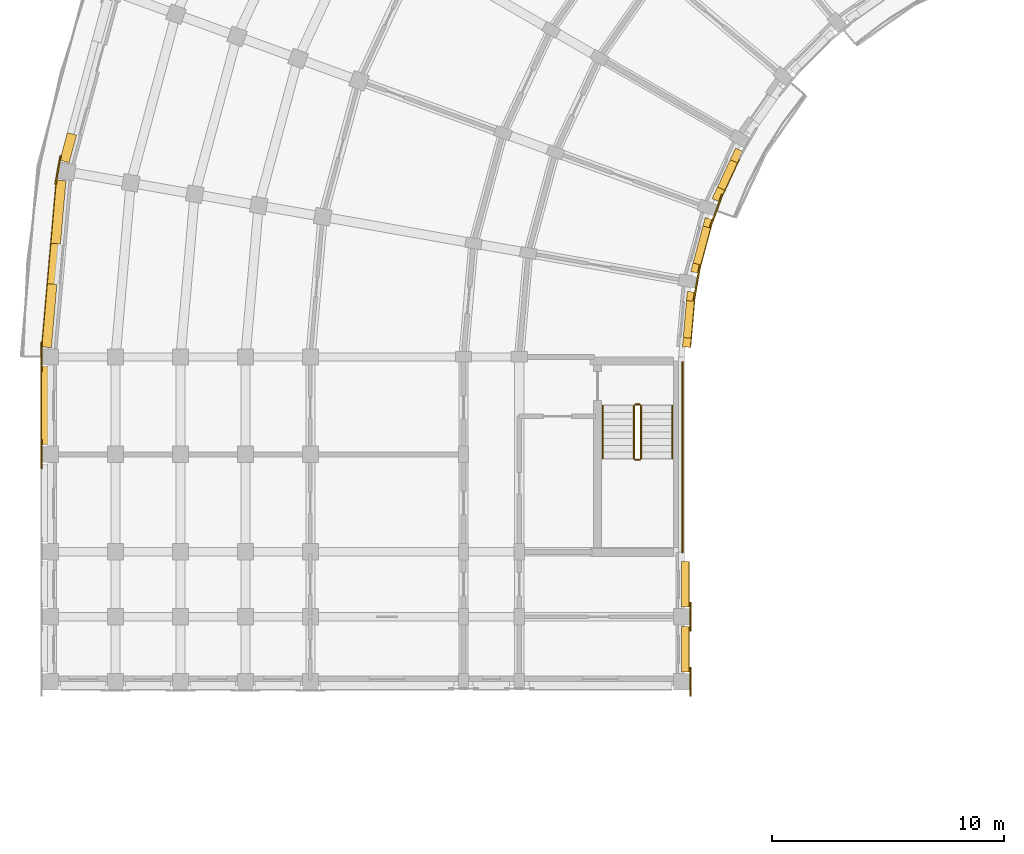
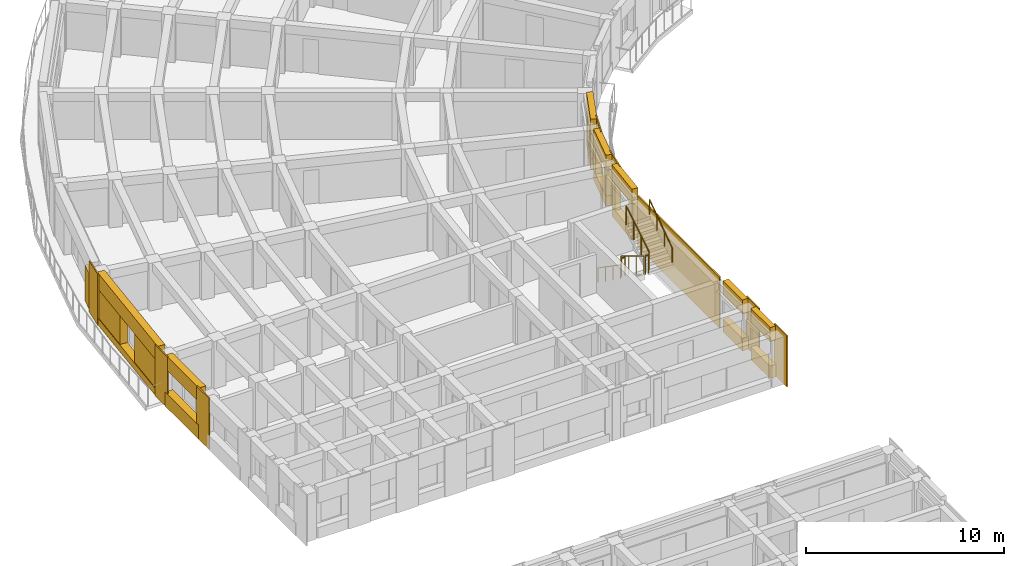
# One storey, part 46 of 57: 31 coverings, 6 railings.
"""IFC4 building model written with IfcOpenShell, lengths in metres."""

from ifc_helpers import new_model, si_unit, direction, frame, origin, origin_2d, place, context, subcontext, project, spatial, polyline, circle, outline, extrude, material, layer, layer_set, type_object, element, save


model = new_model("IFC4")

# Units and contexts
model_context = context("Model", 3, precision=1e-05, world=origin(), true_north=direction((0.0, 1.0)))
body_context = subcontext(model_context, "Body", "Model", "MODEL_VIEW")
ifc_project = project(units=[si_unit("LENGTHUNIT", "METRE"), si_unit("AREAUNIT", "SQUARE_METRE"), si_unit("VOLUMEUNIT", "CUBIC_METRE"), si_unit("PLANEANGLEUNIT", "RADIAN"), si_unit("MASSUNIT", "GRAM", prefix="KILO")], contexts=[model_context])

# Site, building, storey
site_placement = place(None, origin())
site = spatial("IfcSite", under=ifc_project, at=site_placement, CompositionType="ELEMENT")
building_placement = place(site_placement, origin())
building = spatial("IfcBuilding", under=site, at=building_placement, Name="Kiranvali Square Residences", CompositionType="ELEMENT")
storey_placement = place(building_placement, frame((0.0, 0.0, 18.14990234375)))
storey = spatial("IfcBuildingStorey", under=building, at=storey_placement, Name="L05", CompositionType="ELEMENT", Elevation=18.14990234375)

# Coverings
ifc_material_1 = material(Name="Honed Porbandar limestone ashlar facade cladding", Category="masonry")
ifc_layer_1 = layer(ifc_material_1, 0.3798828125)
ifc_layer_set_1 = layer_set([ifc_layer_1], Name="Honed Porbandar limestone ashlar facade cladding")
covering_type_1 = type_object("IfcCoveringType", Name="COV-CLAD-JAMB", PredefinedType="CLADDING", material=ifc_layer_set_1)
covering_1_placement = place(storey_placement, origin())
element("IfcCovering", 1, at=covering_1_placement, inside=storey, type_object=covering_type_1, Name="L05 deep limestone window jamb reveal A-L05-CRV-07.R", PredefinedType="CLADDING", context=body_context, shape_type="SweptSolid", body=[
    extrude(outline(polyline([(2.923828125, 97.46533203125), (2.6064453125, 96.2802734375), (3.001953125, 96.17431640625), (3.3193359375, 97.359375), (2.923828125, 97.46533203125)])), origin(), (0.0, 0.0, 1.0), 2.18017578125),
])
covering_2_placement = place(storey_placement, frame((0.0, 0.0, 0.422119140625)))
element("IfcCovering", 2, at=covering_2_placement, inside=storey, type_object=covering_type_1, Name="L05 deep limestone window jamb reveal A-L05-CRV-08.L", PredefinedType="CLADDING", context=body_context, shape_type="SweptSolid", body=[
    extrude(outline(polyline([(2.45556640625, 95.425048828125), (2.21728515625, 92.701416015625), (2.625244140625, 92.66552734375), (2.863525390625, 95.389404296875), (2.45556640625, 95.425048828125)])), origin(), (0.0, 0.0, 1.0), 1.75),
])
covering_3_placement = place(storey_placement, frame((0.0, 0.0, 0.422119140625)))
element("IfcCovering", 3, at=covering_3_placement, inside=storey, type_object=covering_type_1, Name="L05 deep limestone window jamb reveal A-L05-CRV-08.R", PredefinedType="CLADDING", context=body_context, shape_type="SweptSolid", body=[
    extrude(outline(polyline([(2.064697265625, 90.9580078125), (1.826416015625, 88.234130859375), (2.234375, 88.198486328125), (2.47265625, 90.92236328125), (2.064697265625, 90.9580078125)])), origin(), (0.0, 0.0, 1.0), 1.75),
])
covering_4_placement = place(storey_placement, frame((0.0, 0.0, 0.72216796875)))
element("IfcCovering", 4, at=covering_4_placement, inside=storey, type_object=covering_type_1, Name="L05 deep limestone window jamb reveal A-L05-GDN-06.L", PredefinedType="CLADDING", context=body_context, shape_type="SweptSolid", body=[
    extrude(outline(polyline([(31.733154296875, 96.801025390625), (31.50146484375, 96.303955078125), (31.80908203125, 96.160400390625), (32.041015625, 96.657470703125), (31.733154296875, 96.801025390625)])), origin(), (0.0, 0.0, 1.0), 1.5),
])
covering_5_placement = place(storey_placement, frame((0.0, 0.0, 0.72216796875)))
element("IfcCovering", 5, at=covering_5_placement, inside=storey, type_object=covering_type_1, Name="L05 deep limestone window jamb reveal A-L05-GDN-06.R", PredefinedType="CLADDING", context=body_context, shape_type="SweptSolid", body=[
    extrude(outline(polyline([(30.951904296875, 95.125732421875), (30.72021484375, 94.62841796875), (31.02783203125, 94.485107421875), (31.259765625, 94.982177734375), (30.951904296875, 95.125732421875)])), origin(), (0.0, 0.0, 1.0), 1.5),
])
covering_6_placement = place(storey_placement, frame((0.0, 0.0, 0.6220703125)))
element("IfcCovering", 6, at=covering_6_placement, inside=storey, type_object=covering_type_1, Name="L05 deep limestone window jamb reveal A-L05-GDN-07.L", PredefinedType="CLADDING", context=body_context, shape_type="SweptSolid", body=[
    extrude(outline(polyline([(30.42041015625, 93.804931640625), (30.32373046875, 93.444091796875), (30.651611328125, 93.356201171875), (30.748291015625, 93.717041015625), (30.42041015625, 93.804931640625)])), origin(), (0.0, 0.0, 1.0), 1.60009765625),
])
covering_7_placement = place(storey_placement, frame((0.0, 0.0, 0.6220703125)))
element("IfcCovering", 7, at=covering_7_placement, inside=storey, type_object=covering_type_1, Name="L05 deep limestone window jamb reveal A-L05-GDN-07.R", PredefinedType="CLADDING", context=body_context, shape_type="SweptSolid", body=[
    extrude(outline(polyline([(29.896728515625, 91.850341796875), (29.800048828125, 91.489501953125), (30.1279296875, 91.401611328125), (30.224609375, 91.762451171875), (29.896728515625, 91.850341796875)])), origin(), (0.0, 0.0, 1.0), 1.60009765625),
])
covering_8_placement = place(storey_placement, frame((0.0, 0.0, 0.572021484375)))
element("IfcCovering", 8, at=covering_8_placement, inside=storey, type_object=covering_type_1, Name="L05 deep limestone window jamb reveal A-L05-GDN-08.L", PredefinedType="CLADDING", context=body_context, shape_type="SweptSolid", body=[
    extrude(outline(polyline([(29.647705078125, 90.626220703125), (29.613037109375, 90.229248046875), (29.951171875, 90.19970703125), (29.986083984375, 90.5966796875), (29.647705078125, 90.626220703125)])), origin(), (0.0, 0.0, 1.0), 1.650146484375),
])
covering_9_placement = place(storey_placement, frame((0.0, 0.0, 0.572021484375)))
element("IfcCovering", 9, at=covering_9_placement, inside=storey, type_object=covering_type_1, Name="L05 deep limestone window jamb reveal A-L05-GDN-08.R", PredefinedType="CLADDING", context=body_context, shape_type="SweptSolid", body=[
    extrude(outline(polyline([(29.4736328125, 88.63525390625), (29.43896484375, 88.23828125), (29.777099609375, 88.208740234375), (29.811767578125, 88.605712890625), (29.4736328125, 88.63525390625)])), origin(), (0.0, 0.0, 1.0), 1.650146484375),
])
ifc_layer_2 = layer(ifc_material_1, 0.06494140625)
ifc_layer_set_2 = layer_set([ifc_layer_2], Name="Honed Porbandar limestone ashlar facade cladding")
covering_type_2 = type_object("IfcCoveringType", Name="COV-CLAD-PIER", PredefinedType="CLADDING", material=ifc_layer_set_2)
covering_10_placement = place(storey_placement, frame((0.0, 0.0, 0.005126953125)))
element("IfcCovering", 10, at=covering_10_placement, inside=storey, type_object=covering_type_2, Name="L05 Classical limestone corner pilaster CLAD-PR-A-L05-A08", PredefinedType="CLADDING", context=body_context, shape_type="SweptSolid", body=[
    extrude(outline(polyline([(2.5966796875, 96.480712890625), (2.377685546875, 95.239990234375), (2.4443359375, 95.228271484375), (2.6630859375, 96.468994140625), (2.5966796875, 96.480712890625)])), origin(), (0.0, 0.0, 1.0), 3.139892578125),
])
covering_11_placement = place(storey_placement, frame((0.0, 0.0, 0.005126953125)))
element("IfcCovering", 11, at=covering_11_placement, inside=storey, type_object=covering_type_2, Name="L05 Classical limestone corner pilaster CLAD-PR-A-L05-A09", PredefinedType="CLADDING", context=body_context, shape_type="SweptSolid", body=[
    extrude(outline(polyline([(1.781982421875, 88.429931640625), (1.781982421875, 87.169921875), (1.849609375, 87.169921875), (1.849609375, 88.429931640625), (1.781982421875, 88.429931640625)])), origin(), (0.0, 0.0, 1.0), 3.139892578125),
])
covering_12_placement = place(storey_placement, frame((0.0, 0.0, 0.005126953125)))
element("IfcCovering", 12, at=covering_12_placement, inside=storey, type_object=covering_type_2, Name="L05 Classical limestone pilaster casing CLAD-PR-A-L05-V42", PredefinedType="CLADDING", context=body_context, shape_type="SweptSolid", body=[
    extrude(outline(polyline([(1.781982421875, 84.22998046875), (1.781982421875, 82.969970703125), (1.849609375, 82.969970703125), (1.849609375, 84.22998046875), (1.781982421875, 84.22998046875)])), origin(), (0.0, 0.0, 1.0), 3.139892578125),
])
covering_13_placement = place(storey_placement, frame((0.0, 0.0, 0.005126953125)))
element("IfcCovering", 13, at=covering_13_placement, inside=storey, type_object=covering_type_2, Name="Block A L05 Arm 2 stair limestone ashlar cladding", PredefinedType="CLADDING", context=body_context, shape_type="SweptSolid", body=[
    extrude(outline(polyline([(29.402099609375, 87.60009765625), (29.402099609375, 79.35009765625), (29.47998046875, 79.35009765625), (29.47998046875, 87.60009765625), (29.402099609375, 87.60009765625)])), origin(), (0.0, 0.0, 1.0), 3.139892578125),
])
ifc_layer_3 = layer(ifc_material_1, 0.050048828125)
ifc_layer_set_3 = layer_set([ifc_layer_3], Name="Honed Porbandar limestone ashlar facade cladding")
covering_type_3 = type_object("IfcCoveringType", Name="COV-CLAD-PIER-IN", PredefinedType="CLADDING", material=ifc_layer_set_3)
covering_14_placement = place(storey_placement, frame((0.0, 0.0, 0.005126953125)))
element("IfcCovering", 14, at=covering_14_placement, inside=storey, type_object=covering_type_3, Name="L05 Classical garden courtyard pilaster CLAD-PRIN-A-L05-A07", PredefinedType="CLADDING", context=body_context, shape_type="SweptSolid", body=[
    extrude(outline(polyline([(30.670166015625, 93.38232421875), (31.18310546875, 94.791748046875), (31.11962890625, 94.81494140625), (30.606689453125, 93.4052734375), (30.670166015625, 93.38232421875)])), origin(), (0.0, 0.0, 1.0), 3.139892578125),
])
covering_15_placement = place(storey_placement, frame((0.0, 0.0, 0.005126953125)))
element("IfcCovering", 15, at=covering_15_placement, inside=storey, type_object=covering_type_3, Name="L05 Classical garden courtyard pilaster CLAD-PRIN-A-L05-A08", PredefinedType="CLADDING", context=body_context, shape_type="SweptSolid", body=[
    extrude(outline(polyline([(29.967041015625, 90.25341796875), (30.2275390625, 91.730712890625), (30.1611328125, 91.742431640625), (29.900634765625, 90.26513671875), (29.967041015625, 90.25341796875)])), origin(), (0.0, 0.0, 1.0), 3.139892578125),
])
covering_16_placement = place(storey_placement, frame((0.0, 0.0, 0.005126953125)))
element("IfcCovering", 16, at=covering_16_placement, inside=storey, type_object=covering_type_3, Name="L05 Classical limestone pilaster casing CLAD-PRA2I-A-L05-V112", PredefinedType="CLADDING", context=body_context, shape_type="SweptSolid", body=[
    extrude(outline(polyline([(29.75048828125, 77.22998046875), (29.75048828125, 75.969970703125), (29.818115234375, 75.969970703125), (29.818115234375, 77.22998046875), (29.75048828125, 77.22998046875)])), origin(), (0.0, 0.0, 1.0), 3.139892578125),
])
covering_17_placement = place(storey_placement, frame((0.0, 0.0, 0.005126953125)))
element("IfcCovering", 17, at=covering_17_placement, inside=storey, type_object=covering_type_3, Name="L05 Classical limestone pilaster casing CLAD-PRA2I-A-L05-V140", PredefinedType="CLADDING", context=body_context, shape_type="SweptSolid", body=[
    extrude(outline(polyline([(29.75048828125, 74.429931640625), (29.75048828125, 73.169921875), (29.818115234375, 73.169921875), (29.818115234375, 74.429931640625), (29.75048828125, 74.429931640625)])), origin(), (0.0, 0.0, 1.0), 3.139892578125),
])
ifc_layer_4 = layer(ifc_material_1, 0.360107421875)
ifc_layer_set_4 = layer_set([ifc_layer_4], Name="Honed Porbandar limestone ashlar facade cladding")
covering_type_4 = type_object("IfcCoveringType", Name="COV-CLAD-WALL", PredefinedType="CLADDING", material=ifc_layer_set_4)
covering_18_placement = place(storey_placement, frame((0.0, 0.0, 2.172119140625)))
element("IfcCovering", 18, at=covering_18_placement, inside=storey, type_object=covering_type_4, Name="L05 light limestone spandrel lintel A-L05-CRV-08", PredefinedType="CLADDING", context=body_context, shape_type="SweptSolid", body=[
    extrude(outline(polyline([(2.45556640625, 95.425048828125), (1.826416015625, 88.234130859375), (2.234375, 88.198486328125), (2.863525390625, 95.389404296875), (2.45556640625, 95.425048828125)])), origin(), (0.0, 0.0, 1.0), 0.972900390625),
])
covering_19_placement = place(storey_placement, frame((0.0, 0.0, 0.005126953125)))
element("IfcCovering", 19, at=covering_19_placement, inside=storey, type_object=covering_type_4, Name="L05 limestone window sill apron A-L05-CRV-08", PredefinedType="CLADDING", context=body_context, shape_type="SweptSolid", body=[
    extrude(outline(polyline([(2.42578125, 95.427734375), (1.796630859375, 88.23681640625), (2.234375, 88.198486328125), (2.863525390625, 95.389404296875), (2.42578125, 95.427734375)])), origin(), (0.0, 0.0, 1.0), 0.4169921875),
])
covering_20_placement = place(storey_placement, frame((0.0, 0.0, 2.22216796875)))
element("IfcCovering", 20, at=covering_20_placement, inside=storey, type_object=covering_type_4, Name="L05 light limestone spandrel lintel A-L05-GDN-06", PredefinedType="CLADDING", context=body_context, shape_type="SweptSolid", body=[
    extrude(outline(polyline([(31.733154296875, 96.801025390625), (30.72021484375, 94.62841796875), (31.02783203125, 94.485107421875), (32.041015625, 96.657470703125), (31.733154296875, 96.801025390625)])), origin(), (0.0, 0.0, 1.0), 0.9228515625),
])
covering_21_placement = place(storey_placement, frame((0.0, 0.0, 2.22216796875)))
element("IfcCovering", 21, at=covering_21_placement, inside=storey, type_object=covering_type_4, Name="L05 light limestone spandrel lintel A-L05-GDN-07", PredefinedType="CLADDING", context=body_context, shape_type="SweptSolid", body=[
    extrude(outline(polyline([(30.42041015625, 93.804931640625), (29.800048828125, 91.489501953125), (30.1279296875, 91.401611328125), (30.748291015625, 93.717041015625), (30.42041015625, 93.804931640625)])), origin(), (0.0, 0.0, 1.0), 0.9228515625),
])
covering_22_placement = place(storey_placement, frame((0.0, 0.0, 2.22216796875)))
element("IfcCovering", 22, at=covering_22_placement, inside=storey, type_object=covering_type_4, Name="L05 light limestone spandrel lintel A-L05-GDN-08", PredefinedType="CLADDING", context=body_context, shape_type="SweptSolid", body=[
    extrude(outline(polyline([(29.647705078125, 90.626220703125), (29.43896484375, 88.23828125), (29.777099609375, 88.208740234375), (29.986083984375, 90.5966796875), (29.647705078125, 90.626220703125)])), origin(), (0.0, 0.0, 1.0), 0.9228515625),
])
covering_23_placement = place(storey_placement, frame((0.0, 0.0, 2.280029296875)))
element("IfcCovering", 23, at=covering_23_placement, inside=storey, type_object=covering_type_4, Name="L05 light limestone spandrel lintel A-L05-A2O-0", PredefinedType="CLADDING", context=body_context, shape_type="SweptSolid", body=[
    extrude(outline(polyline([(1.800048828125, 87.3798828125), (1.800048828125, 84.02001953125), (2.199462890625, 84.02001953125), (2.199462890625, 87.3798828125), (1.800048828125, 87.3798828125)])), origin(), (0.0, 0.0, 1.0), 0.864990234375),
])
covering_24_placement = place(storey_placement, frame((0.0, 0.0, 0.005126953125)))
element("IfcCovering", 24, at=covering_24_placement, inside=storey, type_object=covering_type_4, Name="L05 limestone window sill apron A-L05-A2O-0", PredefinedType="CLADDING", context=body_context, shape_type="SweptSolid", body=[
    extrude(outline(polyline([(1.77001953125, 87.3798828125), (1.77001953125, 84.02001953125), (2.199462890625, 84.02001953125), (2.199462890625, 87.3798828125), (1.77001953125, 87.3798828125)])), origin(), (0.0, 0.0, 1.0), 0.875),
])
covering_25_placement = place(storey_placement, frame((0.0, 0.0, 2.272216796875)))
element("IfcCovering", 25, at=covering_25_placement, inside=storey, type_object=covering_type_4, Name="L05 light limestone spandrel lintel A-L05-A2I-0", PredefinedType="CLADDING", context=body_context, shape_type="SweptSolid", body=[
    extrude(outline(polyline([(29.400390625, 78.97998046875), (29.400390625, 77.02001953125), (29.719970703125, 77.02001953125), (29.719970703125, 78.97998046875), (29.400390625, 78.97998046875)])), origin(), (0.0, 0.0, 1.0), 0.872802734375),
])
covering_26_placement = place(storey_placement, frame((0.0, 0.0, 0.005126953125)))
element("IfcCovering", 26, at=covering_26_placement, inside=storey, type_object=covering_type_4, Name="L05 limestone window sill apron A-L05-A2I-0", PredefinedType="CLADDING", context=body_context, shape_type="SweptSolid", body=[
    extrude(outline(polyline([(29.400390625, 78.97998046875), (29.400390625, 77.02001953125), (29.75, 77.02001953125), (29.75, 78.97998046875), (29.400390625, 78.97998046875)])), origin(), (0.0, 0.0, 1.0), 0.76708984375),
])
covering_27_placement = place(storey_placement, frame((0.0, 0.0, 2.272216796875)))
element("IfcCovering", 27, at=covering_27_placement, inside=storey, type_object=covering_type_4, Name="L05 light limestone spandrel lintel A-L05-A2I-1", PredefinedType="CLADDING", context=body_context, shape_type="SweptSolid", body=[
    extrude(outline(polyline([(29.400390625, 76.179931640625), (29.400390625, 74.219970703125), (29.719970703125, 74.219970703125), (29.719970703125, 76.179931640625), (29.400390625, 76.179931640625)])), origin(), (0.0, 0.0, 1.0), 0.872802734375),
])
covering_28_placement = place(storey_placement, frame((0.0, 0.0, 0.005126953125)))
element("IfcCovering", 28, at=covering_28_placement, inside=storey, type_object=covering_type_4, Name="L05 limestone window sill apron A-L05-A2I-1", PredefinedType="CLADDING", context=body_context, shape_type="SweptSolid", body=[
    extrude(outline(polyline([(29.400390625, 76.179931640625), (29.400390625, 74.219970703125), (29.75, 74.219970703125), (29.75, 76.179931640625), (29.400390625, 76.179931640625)])), origin(), (0.0, 0.0, 1.0), 0.76708984375),
])
ifc_layer_5 = layer(ifc_material_1, 0.2900390625)
ifc_layer_set_5 = layer_set([ifc_layer_5], Name="Honed Porbandar limestone ashlar facade cladding")
covering_type_5 = type_object("IfcCoveringType", Name="COV-CLAD-WALL-IN", PredefinedType="CLADDING", material=ifc_layer_set_5)
covering_29_placement = place(storey_placement, frame((0.0, 0.0, 0.005126953125)))
element("IfcCovering", 29, at=covering_29_placement, inside=storey, type_object=covering_type_5, Name="L05 limestone window sill apron A-L05-GDN-06", PredefinedType="CLADDING", context=body_context, shape_type="SweptSolid", body=[
    extrude(outline(polyline([(31.733154296875, 96.801025390625), (30.72021484375, 94.62841796875), (31.05517578125, 94.472412109375), (32.068115234375, 96.644775390625), (31.733154296875, 96.801025390625)])), origin(), (0.0, 0.0, 1.0), 0.717041015625),
])
covering_30_placement = place(storey_placement, frame((0.0, 0.0, 0.005126953125)))
element("IfcCovering", 30, at=covering_30_placement, inside=storey, type_object=covering_type_5, Name="L05 limestone window sill apron A-L05-GDN-07", PredefinedType="CLADDING", context=body_context, shape_type="SweptSolid", body=[
    extrude(outline(polyline([(30.42041015625, 93.804931640625), (29.800048828125, 91.489501953125), (30.156982421875, 91.393798828125), (30.77734375, 93.709228515625), (30.42041015625, 93.804931640625)])), origin(), (0.0, 0.0, 1.0), 0.616943359375),
])
covering_31_placement = place(storey_placement, frame((0.0, 0.0, 0.005126953125)))
element("IfcCovering", 31, at=covering_31_placement, inside=storey, type_object=covering_type_5, Name="L05 limestone window sill apron A-L05-GDN-08", PredefinedType="CLADDING", context=body_context, shape_type="SweptSolid", body=[
    extrude(outline(polyline([(29.647705078125, 90.626220703125), (29.43896484375, 88.23828125), (29.806884765625, 88.2060546875), (30.015869140625, 90.593994140625), (29.647705078125, 90.626220703125)])), origin(), (0.0, 0.0, 1.0), 0.56689453125),
])

# Railings
ifc_material_2 = material(Name="Brushed stainless steel tubular handrail", Category="steel")
railing_type_1 = type_object("IfcRailingType", Name="RL-HANDRAIL-900", PredefinedType="HANDRAIL", material=ifc_material_2)
railing_1_placement = place(storey_placement, frame((26.0, 85.699951171875, 0.175048828125)))
element("IfcRailing", 32, at=railing_1_placement, inside=storey, type_object=railing_type_1, Name="L05 ST-A3 stair handrail 1", PredefinedType="HANDRAIL", context=body_context, shape_type="SweptSolid", body=[
    extrude(circle(Radius=0.02392578125, at=origin_2d()), frame((0.0, 0.0, 0.8759765625), z_axis=(0.0, -0.82278801735, 0.568348377763), x_axis=(1.0, 0.0, 0.0)), (0.0, 0.0, 1.0), 2.77099609375),
    extrude(circle(Radius=0.02099609375, at=origin_2d()), origin(), (0.0, 0.0, 1.0), 0.851806640625),
    extrude(circle(Radius=0.02099609375, at=origin_2d()), frame((0.0, -0.760009765625, 0.52490234375)), (0.0, 0.0, 1.0), 0.851806640625),
    extrude(circle(Radius=0.02099609375, at=origin_2d()), frame((0.0, -1.52001953125, 1.050048828125)), (0.0, 0.0, 1.0), 0.851806640625),
    extrude(circle(Radius=0.02099609375, at=origin_2d()), frame((0.0, -2.280029296875, 1.574951171875)), (0.0, 0.0, 1.0), 0.851806640625),
])
railing_2_placement = place(storey_placement, frame((29.0, 83.419921875, 1.75)))
element("IfcRailing", 33, at=railing_2_placement, inside=storey, type_object=railing_type_1, Name="L05 ST-A3 stair handrail 2", PredefinedType="HANDRAIL", context=body_context, shape_type="SweptSolid", body=[
    extrude(circle(Radius=0.02392578125, at=origin_2d()), frame((0.0, 0.0, 0.8759765625), z_axis=(0.0, 0.82274681792, 0.568408016835), x_axis=(-1.0, 0.0, 0.0)), (0.0, 0.0, 1.0), 2.771240234375),
    extrude(circle(Radius=0.02099609375, at=origin_2d()), origin(), (0.0, 0.0, 1.0), 0.851806640625),
    extrude(circle(Radius=0.02099609375, at=origin_2d()), frame((0.0, 0.760009765625, 0.525146484375)), (0.0, 0.0, 1.0), 0.851806640625),
    extrude(circle(Radius=0.02099609375, at=origin_2d()), frame((0.0, 1.52001953125, 1.050048828125)), (0.0, 0.0, 1.0), 0.851806640625),
    extrude(circle(Radius=0.02099609375, at=origin_2d()), frame((0.0, 2.280029296875, 1.5751953125)), (0.0, 0.0, 1.0), 0.851806640625),
])
ifc_material_3 = material(Name="Powder-coated architectural bronze balustrade", Category="steel")
railing_type_2 = type_object("IfcRailingType", Name="RL-ST-GUARD-1200", PredefinedType="GUARDRAIL", material=ifc_material_3)
railing_3_placement = place(storey_placement, frame((27.35009765625, 85.699951171875, 0.175048828125)))
element("IfcRailing", 34, at=railing_3_placement, inside=storey, type_object=railing_type_2, Name="L05 ST-A3 stair guard 1", PredefinedType="GUARDRAIL", context=body_context, shape_type="SweptSolid", body=[
    extrude(circle(Radius=0.02392578125, at=origin_2d()), frame((0.0, 0.0, 1.1259765625), z_axis=(0.0, -0.852149810458, 0.523297908018), x_axis=(1.0, 0.0, 0.0)), (0.0, 0.0, 1.0), 2.675537109375),
    extrude(circle(Radius=0.02099609375, at=origin_2d()), origin(), (0.0, 0.0, 1.0), 1.101806640625),
    extrude(circle(Radius=0.02099609375, at=origin_2d()), frame((0.0, -0.760009765625, 0.466796875)), (0.0, 0.0, 1.0), 1.101806640625),
    extrude(circle(Radius=0.02099609375, at=origin_2d()), frame((0.0, -1.52001953125, 0.933349609375)), (0.0, 0.0, 1.0), 1.101806640625),
    extrude(circle(Radius=0.02099609375, at=origin_2d()), frame((0.0, -2.280029296875, 1.400146484375)), (0.0, 0.0, 1.0), 1.101806640625),
])
railing_4_placement = place(storey_placement, frame((27.39990234375, 83.3701171875, 1.5751953125)))
element("IfcRailing", 35, at=railing_4_placement, inside=storey, type_object=railing_type_2, Name="L05 ST-A3 stair guard 2", PredefinedType="GUARDRAIL", context=body_context, shape_type="SweptSolid", body=[
    extrude(circle(Radius=0.02392578125, at=origin_2d()), frame((0.0, 0.0, 1.1259765625), z_axis=(1.0, 0.0, 0.0), x_axis=(0.0, 1.0, 0.0)), (0.0, 0.0, 1.0), 0.2001953125),
    extrude(circle(Radius=0.02099609375, at=origin_2d()), origin(), (0.0, 0.0, 1.0), 1.101806640625),
    extrude(circle(Radius=0.02099609375, at=origin_2d()), frame((0.2001953125, 0.0, 0.0)), (0.0, 0.0, 1.0), 1.101806640625),
])
railing_5_placement = place(storey_placement, frame((27.64990234375, 83.419921875, 1.75)))
element("IfcRailing", 36, at=railing_5_placement, inside=storey, type_object=railing_type_2, Name="L05 ST-A3 stair guard 3", PredefinedType="GUARDRAIL", context=body_context, shape_type="SweptSolid", body=[
    extrude(circle(Radius=0.02392578125, at=origin_2d()), frame((0.0, 0.0, 1.1259765625), z_axis=(0.0, 0.852149810458, 0.523297908018), x_axis=(-1.0, 0.0, 0.0)), (0.0, 0.0, 1.0), 2.675537109375),
    extrude(circle(Radius=0.02099609375, at=origin_2d()), origin(), (0.0, 0.0, 1.0), 1.101806640625),
    extrude(circle(Radius=0.02099609375, at=origin_2d()), frame((0.0, 0.760009765625, 0.466796875)), (0.0, 0.0, 1.0), 1.101806640625),
    extrude(circle(Radius=0.02099609375, at=origin_2d()), frame((0.0, 1.52001953125, 0.933349609375)), (0.0, 0.0, 1.0), 1.101806640625),
    extrude(circle(Radius=0.02099609375, at=origin_2d()), frame((0.0, 2.280029296875, 1.400146484375)), (0.0, 0.0, 1.0), 1.101806640625),
])
railing_6_placement = place(storey_placement, frame((27.39990234375, 85.75, 0.0)))
element("IfcRailing", 37, at=railing_6_placement, inside=storey, type_object=railing_type_2, Name="L05 ST-A3 stair guard 4", PredefinedType="GUARDRAIL", context=body_context, shape_type="SweptSolid", body=[
    extrude(circle(Radius=0.02392578125, at=origin_2d()), frame((0.0, 0.0, 1.1259765625), z_axis=(1.0, 0.0, 0.0), x_axis=(0.0, 1.0, 0.0)), (0.0, 0.0, 1.0), 0.2001953125),
    extrude(circle(Radius=0.02099609375, at=origin_2d()), origin(), (0.0, 0.0, 1.0), 1.101806640625),
    extrude(circle(Radius=0.02099609375, at=origin_2d()), frame((0.2001953125, 0.0, 0.0)), (0.0, 0.0, 1.0), 1.101806640625),
])

save(model, "model.ifc")
